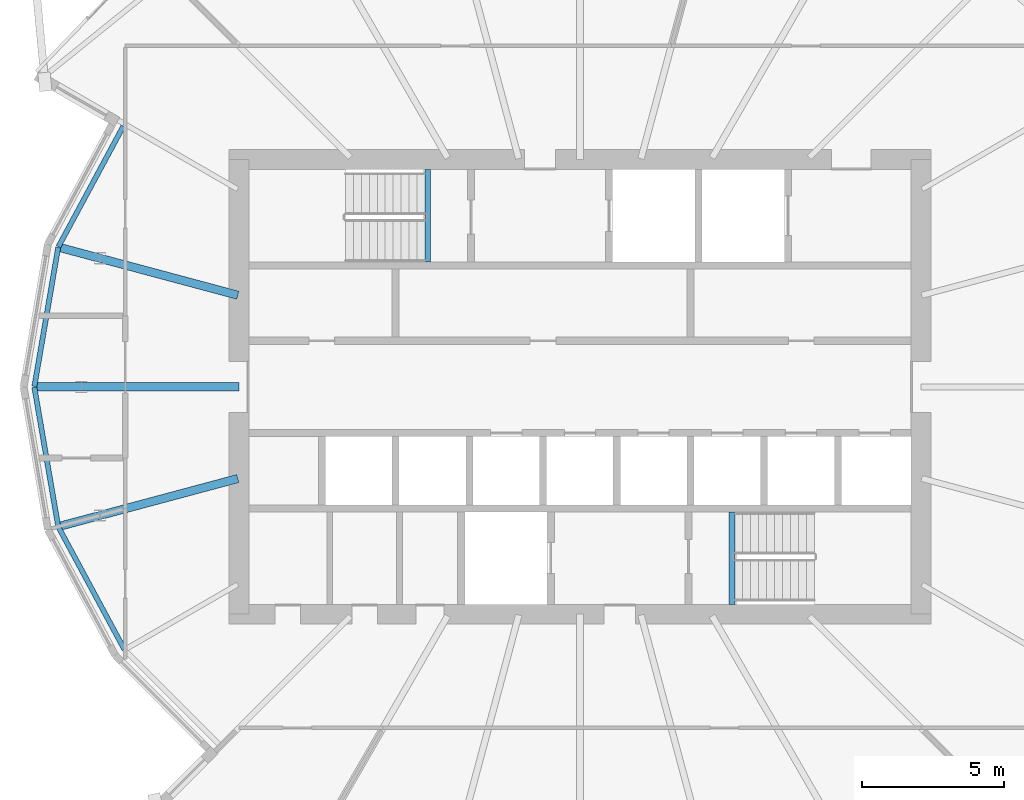
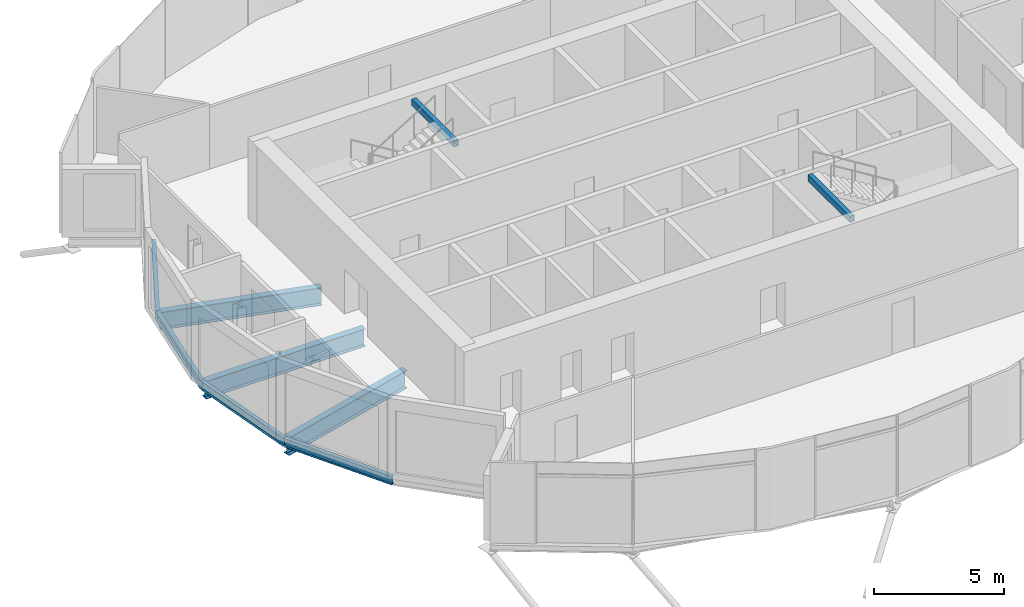
# One storey, part 5 of 39: 9 beams.
"""IFC4 building model written with IfcOpenShell, lengths in metres."""

from ifc_helpers import new_model, si_unit, direction, frame, origin, origin_2d, place, context, subcontext, project, spatial, hollow_rectangle, i_section, extrude, material, material_profile, profile_set, type_object, element, save


model = new_model("IFC4")

# Units and contexts
model_context = context("Model", 3, precision=1e-05, world=origin(), true_north=direction((0.0, 1.0)))
body_context = subcontext(model_context, "Body", "Model", "MODEL_VIEW")
ifc_project = project(units=[si_unit("LENGTHUNIT", "METRE"), si_unit("AREAUNIT", "SQUARE_METRE"), si_unit("VOLUMEUNIT", "CUBIC_METRE"), si_unit("PLANEANGLEUNIT", "RADIAN"), si_unit("MASSUNIT", "GRAM", prefix="KILO")], contexts=[model_context])

# Site, building, storey
site_placement = place(None, origin())
site = spatial("IfcSite", under=ifc_project, at=site_placement, CompositionType="ELEMENT")
building_placement = place(site_placement, origin())
building = spatial("IfcBuilding", under=site, at=building_placement, Name="Rimbun Link Towers", CompositionType="ELEMENT")
storey_placement = place(building_placement, frame((0.0, 0.0, 139.199951171875)))
storey = spatial("IfcBuildingStorey", under=building, at=storey_placement, Name="L33", CompositionType="ELEMENT", Elevation=139.199951171875)

# Beams
ifc_material_1 = material(Name="Steel S355J2", Category="steel")
ifc_material_profile_1 = material_profile(ifc_material_1, hollow_rectangle(XDim=0.199951171875, YDim=0.300048828125, WallThickness=0.011962890625, at=origin_2d()), Name="BOX 300x200x12")
ifc_profile_set_1 = profile_set([ifc_material_profile_1], Name="Steel S355J2")
beam_type_1 = type_object("IfcBeamType", Name="Stair trimmer beam BOX 300x200x12", PredefinedType="BEAM", material=ifc_profile_set_1)
for number, where, z_axis, x_axis, name in (
    (1, (-37.10009765625, 7.64990234375, 3.469970703125), (0.0, -1.0, 0.0), (1.0, 0.0, 0.0), "L33 ST1 stair beam 1"),
    (2, (-26.39990234375, -7.64990234375, 3.469970703125), (0.0, 1.0, 0.0), (-1.0, 0.0, 0.0), "L33 ST2 stair beam 1"),
):
    element("IfcBeam", number, at=place(storey_placement, frame(where, z_axis=z_axis, x_axis=x_axis)), inside=storey, type_object=beam_type_1, Name=name, PredefinedType="BEAM", context=body_context, shape_type="SweptSolid", body=[
        extrude(hollow_rectangle(XDim=0.199951171875, YDim=0.300048828125, WallThickness=0.011962890625, at=origin_2d()), origin(), (0.0, 0.0, 1.0), 3.25),
    ])
ifc_material_2 = material(Name="Steel S355J2", Category="steel")
ifc_material_profile_2 = material_profile(ifc_material_2, i_section(OverallWidth=0.177978515625, OverallDepth=0.406494140625, WebThickness=0.0078125, FlangeThickness=0.0126953125, at=origin_2d()), Name="UB 406x178x60")
ifc_profile_set_2 = profile_set([ifc_material_profile_2], Name="Steel S355J2")
beam_type_2 = type_object("IfcBeamType", Name="UB 406x178x60", PredefinedType="BEAM", material=ifc_profile_set_2)
beam_1_placement = place(storey_placement, frame((-47.81884765625, 9.17041015625, -0.383056640625), z_axis=(-0.474036297712, -0.880505302909, 0.0), x_axis=(0.880505302909, -0.474036297712, 0.0)))
element("IfcBeam", 3, at=beam_1_placement, inside=storey, type_object=beam_type_2, Name="Edge beam T1 L33 10 recess", PredefinedType="BEAM", context=body_context, shape_type="SweptSolid", body=[
    extrude(i_section(OverallWidth=0.177978515625, OverallDepth=0.406494140625, WebThickness=0.0078125, FlangeThickness=0.0126953125, at=origin_2d()), origin(), (0.0, 0.0, 1.0), 4.81298828125),
])
for number, where, z_axis, x_axis, name in (
    (4, (-50.1103515625, 4.903564453125, -0.383056640625), (-0.168780690541, -0.985653630085, 0.0), (0.985653630085, -0.168780690541, 0.0), "Edge beam T1 L33 11 recess"),
    (5, (-50.947265625, -0.01611328125, -0.383056640625), (0.168780690541, -0.985653630085, 0.0), (0.985653630085, 0.168780690541, 0.0), "Edge beam T1 L33 12 recess"),
):
    element("IfcBeam", number, at=place(storey_placement, frame(where, z_axis=z_axis, x_axis=x_axis)), inside=storey, type_object=beam_type_2, Name=name, PredefinedType="BEAM", context=body_context, shape_type="SweptSolid", body=[
        extrude(i_section(OverallWidth=0.177978515625, OverallDepth=0.406494140625, WebThickness=0.0078125, FlangeThickness=0.0126953125, at=origin_2d()), origin(), (0.0, 0.0, 1.0), 4.95849609375),
    ])
beam_2_placement = place(storey_placement, frame((-50.100341796875, -4.9326171875, -0.383056640625), z_axis=(0.474061129578, -0.880491933764, 0.0), x_axis=(0.880491933764, 0.474061129578, 0.0)))
element("IfcBeam", 6, at=beam_2_placement, inside=storey, type_object=beam_type_2, Name="Edge beam T1 L33 13 recess", PredefinedType="BEAM", context=body_context, shape_type="SweptSolid", body=[
    extrude(i_section(OverallWidth=0.177978515625, OverallDepth=0.406494140625, WebThickness=0.0078125, FlangeThickness=0.0126953125, at=origin_2d()), origin(), (0.0, 0.0, 1.0), 4.891357421875),
])
ifc_material_3 = material(Name="Steel S355J2", Category="steel")
ifc_material_profile_3 = material_profile(ifc_material_3, i_section(OverallWidth=0.29248046875, OverallDepth=0.8408203125, WebThickness=0.0126953125, FlangeThickness=0.021728515625, at=origin_2d()), Name="UB 838x292x194")
ifc_profile_set_3 = profile_set([ifc_material_profile_3], Name="Steel S355J2")
beam_type_3 = type_object("IfcBeamType", Name="UB 838x292x194", PredefinedType="BEAM", material=ifc_profile_set_3)
beam_3_placement = place(storey_placement, frame((-43.788818359375, 3.225830078125, -0.600341796875), z_axis=(-0.96592964011, 0.258804811311, 0.0), x_axis=(-0.258804811311, -0.96592964011, 0.0)))
element("IfcBeam", 7, at=beam_3_placement, inside=storey, type_object=beam_type_3, Name="Radial beam T1 L33 11", PredefinedType="BEAM", context=body_context, shape_type="SweptSolid", body=[
    extrude(i_section(OverallWidth=0.29248046875, OverallDepth=0.8408203125, WebThickness=0.0126953125, FlangeThickness=0.021728515625, at=origin_2d()), origin(), (0.0, 0.0, 1.0), 6.451416015625),
])
beam_4_placement = place(storey_placement, frame((-43.7509765625, 0.0, -0.600341796875), z_axis=(-1.0, 0.0, 0.0), x_axis=(0.0, -1.0, 0.0)))
element("IfcBeam", 8, at=beam_4_placement, inside=storey, type_object=beam_type_3, Name="Radial beam T1 L33 12", PredefinedType="BEAM", context=body_context, shape_type="SweptSolid", body=[
    extrude(i_section(OverallWidth=0.29248046875, OverallDepth=0.8408203125, WebThickness=0.0126953125, FlangeThickness=0.021728515625, at=origin_2d()), origin(), (0.0, 0.0, 1.0), 7.109130859375),
])
beam_5_placement = place(storey_placement, frame((-43.788818359375, -3.225830078125, -0.600341796875), z_axis=(-0.96592964011, -0.258804811311, 0.0), x_axis=(0.258804811311, -0.96592964011, 0.0)))
element("IfcBeam", 9, at=beam_5_placement, inside=storey, type_object=beam_type_3, Name="Radial beam T1 L33 13", PredefinedType="BEAM", context=body_context, shape_type="SweptSolid", body=[
    extrude(i_section(OverallWidth=0.29248046875, OverallDepth=0.8408203125, WebThickness=0.0126953125, FlangeThickness=0.021728515625, at=origin_2d()), origin(), (0.0, 0.0, 1.0), 6.451416015625),
])

save(model, "model.ifc")
